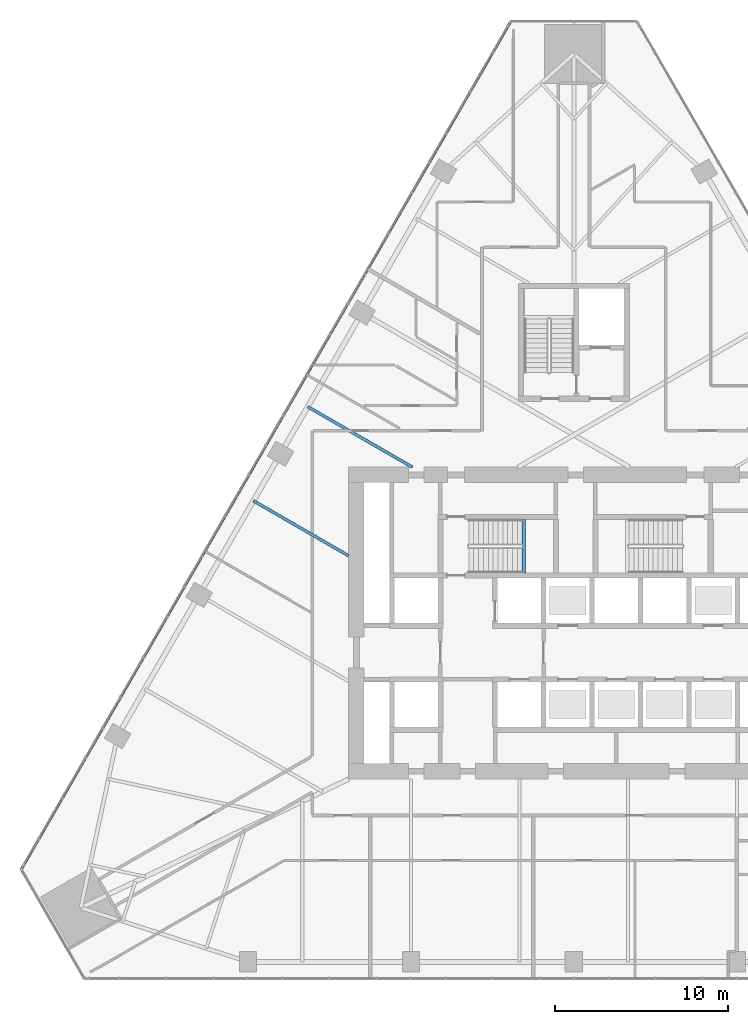
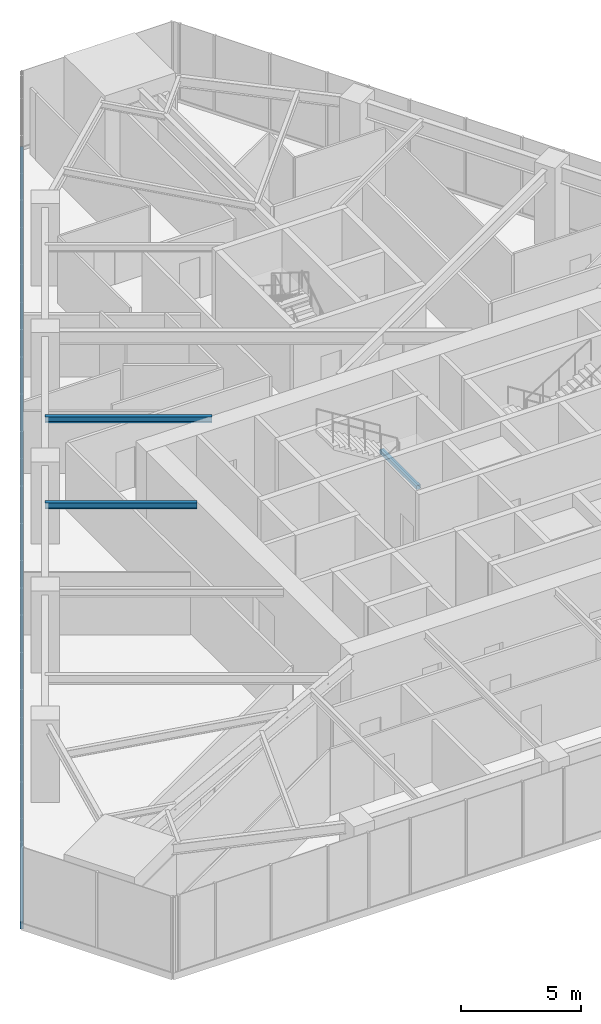
# One storey, part 5 of 21: 3 beams, 1 member, 1 element without a shape of its own.
"""IFC4 building model written with IfcOpenShell, lengths in metres."""

from ifc_helpers import new_model, si_unit, direction, frame, origin, origin_2d, place, context, subcontext, project, spatial, rectangle, i_section, extrude, material, layer, layer_set, material_profile, profile_set, type_object, element, aggregate, save


model = new_model("IFC4")

# Units and contexts
model_context = context("Model", 3, precision=1e-05, world=origin(), true_north=direction((0.0, 1.0)))
body_context = subcontext(model_context, "Body", "Model", "MODEL_VIEW")
ifc_project = project(units=[si_unit("LENGTHUNIT", "METRE"), si_unit("AREAUNIT", "SQUARE_METRE"), si_unit("VOLUMEUNIT", "CUBIC_METRE"), si_unit("PLANEANGLEUNIT", "RADIAN"), si_unit("MASSUNIT", "GRAM", prefix="KILO")], contexts=[model_context])

# Site, building, storey
site_placement = place(None, origin())
site = spatial("IfcSite", under=ifc_project, at=site_placement, CompositionType="ELEMENT")
building_placement = place(site_placement, origin())
building = spatial("IfcBuilding", under=site, at=building_placement, Name="Firuza Gate Tower and Library", CompositionType="ELEMENT")
storey_placement = place(building_placement, frame((0.0, 0.0, 94.60009765625)))
storey = spatial("IfcBuildingStorey", under=building, at=storey_placement, Name="L21", CompositionType="ELEMENT", Elevation=94.60009765625)

# Curtain wall, member
ifc_material_1 = material(Name="Aluminium 6063-T6", Category="aluminium")
ifc_layer = layer(ifc_material_1, 0.14990234375)
ifc_layer_set = layer_set([ifc_layer], Name="Unitised curtain wall, offices")
curtain_wall_type = type_object("IfcCurtainWallType", Name="Unitised curtain wall, offices", PredefinedType="NOTDEFINED", material=ifc_layer_set)
curtain_wall_placement = place(storey_placement, origin())
curtain_wall = element("IfcCurtainWall", 1, at=curtain_wall_placement, inside=storey, type_object=curtain_wall_type, Name="CW1 L21 W face", PredefinedType="NOTDEFINED")
ifc_material_2 = material(Name="Aluminium 6063-T6", Category="aluminium")
ifc_material_profile_1 = material_profile(ifc_material_2, rectangle(XDim=0.14990234375, YDim=0.35009765625, at=origin_2d()))
ifc_profile_set_1 = profile_set([ifc_material_profile_1], Name="Aluminium 6063-T6")
member_type = type_object("IfcMemberType", Name="Curtain wall transom 350x150", PredefinedType="USERDEFINED", material=ifc_profile_set_1)
member_placement = place(storey_placement, frame((71.356689453125, 109.727783203125, -0.025146484375), z_axis=(-0.499998712401, -0.866026147179, 0.0), x_axis=(0.866026147179, -0.499998712401, 0.0)))
member = element("IfcMember", 2, at=member_placement, type_object=member_type, Name="Transom", ObjectType="TRANSOM", PredefinedType="USERDEFINED", context=body_context, shape_type="SweptSolid", body=[
    extrude(rectangle(XDim=0.14990234375, YDim=0.35009765625, at=origin_2d()), origin(), (0.0, 0.0, 1.0), 56.507080078125),
])
aggregate(curtain_wall, [member])

# Beams
ifc_material_3 = material(Name="Concrete C35/45", Category="concrete")
ifc_material_profile_2 = material_profile(ifc_material_3, rectangle(XDim=0.199951171875, YDim=0.199951171875, at=origin_2d()))
ifc_profile_set_2 = profile_set([ifc_material_profile_2], Name="Concrete C35/45")
beam_type_1 = type_object("IfcBeamType", Name="Stair landing bearer 200x200", PredefinedType="BEAM", material=ifc_profile_set_2)
beam_1_placement = place(storey_placement, frame((72.1201171875, 77.89990234375, 1.7998046875), z_axis=(0.0, 1.0, 0.0), x_axis=(-1.0, 0.0, 0.0)))
element("IfcBeam", 3, at=beam_1_placement, inside=storey, type_object=beam_type_1, Name="Landing bearer L21 stair 1", PredefinedType="BEAM", context=body_context, shape_type="SweptSolid", body=[
    extrude(rectangle(XDim=0.199951171875, YDim=0.199951171875, at=origin_2d()), origin(), (0.0, 0.0, 1.0), 3.080078125),
])
ifc_material_4 = material(Name="Steel S355", Category="steel")
ifc_material_profile_3 = material_profile(ifc_material_4, i_section(OverallWidth=0.1650390625, OverallDepth=0.31005859375, WebThickness=0.005859375, FlangeThickness=0.009765625, at=origin_2d()))
ifc_profile_set_3 = profile_set([ifc_material_profile_3], Name="Steel S355")
beam_type_2 = type_object("IfcBeamType", Name="W310x39 Floor beam", PredefinedType="JOIST", material=ifc_profile_set_3)
beam_2_placement = place(storey_placement, frame((59.6416015625, 87.486572265625, 3.844970703125), z_axis=(0.866021748659, -0.50000633081, 0.0), x_axis=(0.50000633081, 0.866021748659, 0.0)))
element("IfcBeam", 4, at=beam_2_placement, inside=storey, type_object=beam_type_2, Name="Floor beam L21 s82", PredefinedType="JOIST", context=body_context, shape_type="SweptSolid", body=[
    extrude(i_section(OverallWidth=0.1650390625, OverallDepth=0.31005859375, WebThickness=0.005859375, FlangeThickness=0.009765625, at=origin_2d()), origin(), (0.0, 0.0, 1.0), 6.97314453125),
])
beam_3_placement = place(storey_placement, frame((56.507080078125, 82.0576171875, 3.844970703125), z_axis=(0.866022132074, -0.500005666725, 0.0), x_axis=(0.500005666725, 0.866022132074, 0.0)))
element("IfcBeam", 5, at=beam_3_placement, inside=storey, type_object=beam_type_2, Name="Floor beam L21 s83", PredefinedType="JOIST", context=body_context, shape_type="SweptSolid", body=[
    extrude(i_section(OverallWidth=0.1650390625, OverallDepth=0.31005859375, WebThickness=0.005859375, FlangeThickness=0.009765625, at=origin_2d()), origin(), (0.0, 0.0, 1.0), 6.3427734375),
])

save(model, "model.ifc")
